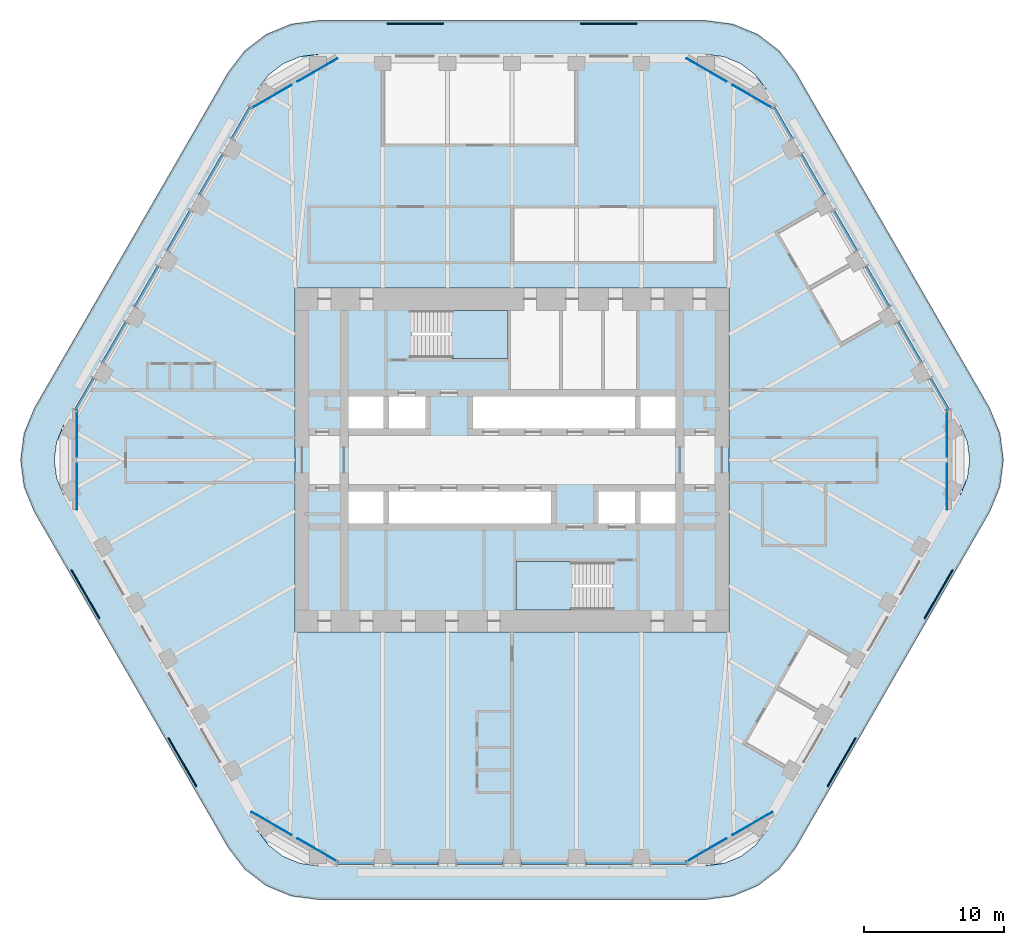
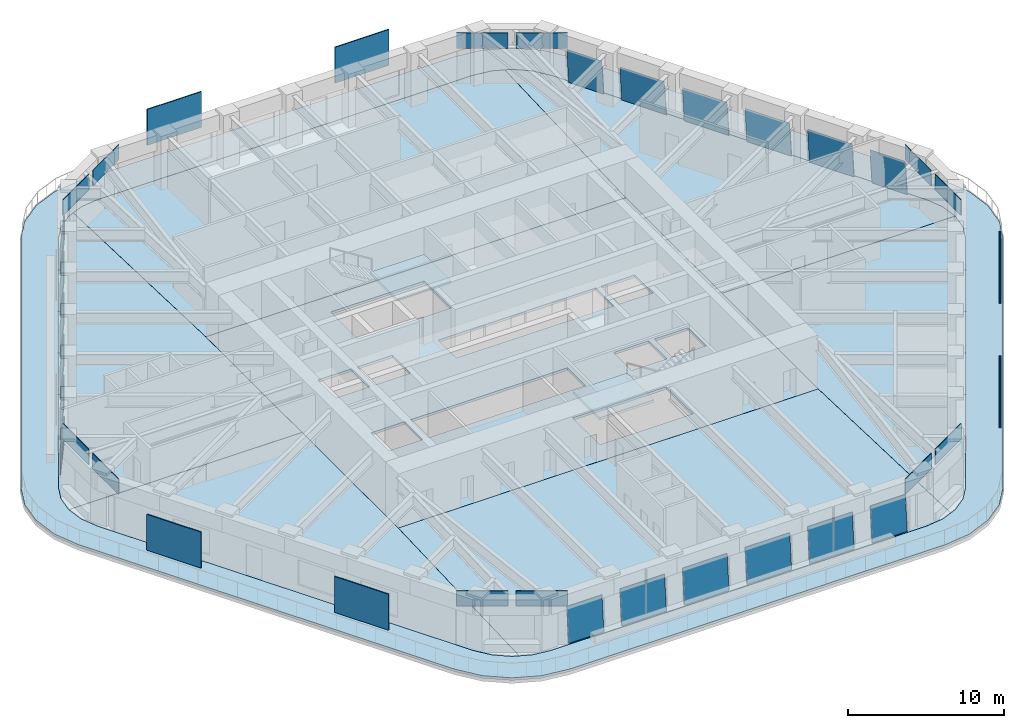
# One storey, part 13 of 20: 36 plates, 10 slabs, 20 elements without a shape of their own.
"""IFC4 building model written with IfcOpenShell, lengths in metres."""

from ifc_helpers import new_model, si_unit, direction, frame, origin, origin_2d, place, context, subcontext, project, spatial, polyline, rectangle, outline, extrude, material, layer, layer_set, type_object, element, aggregate, save


model = new_model("IFC4")

# Units and contexts
model_context = context("Model", 3, precision=1e-05, world=origin(), true_north=direction((0.0, 1.0)))
body_context = subcontext(model_context, "Body", "Model", "MODEL_VIEW")
ifc_project = project(units=[si_unit("LENGTHUNIT", "METRE"), si_unit("AREAUNIT", "SQUARE_METRE"), si_unit("VOLUMEUNIT", "CUBIC_METRE"), si_unit("PLANEANGLEUNIT", "RADIAN"), si_unit("MASSUNIT", "GRAM", prefix="KILO")], contexts=[model_context])

# Site, building, storey
site_placement = place(None, origin())
site = spatial("IfcSite", under=ifc_project, at=site_placement, CompositionType="ELEMENT")
building_placement = place(site_placement, origin())
building = spatial("IfcBuilding", under=site, at=building_placement, Name="Tarfa Lantern Tower", CompositionType="ELEMENT")
storey_placement = place(building_placement, frame((0.0, 0.0, 274.300048828125)))
storey = spatial("IfcBuildingStorey", under=building, at=storey_placement, Name="L62", CompositionType="ELEMENT", Elevation=274.300048828125)

# Slab
ifc_material_1 = material(Name="Concrete C40/50", Category="concrete")
ifc_layer_1 = layer(ifc_material_1, 0.199951171875)
ifc_layer_set_1 = layer_set([ifc_layer_1], Name="BS2 BALCONY SLAB 200")
slab_type_1 = type_object("IfcSlabType", Name="BS2 BALCONY SLAB 200", PredefinedType="FLOOR", material=ifc_layer_set_1)
slab_1_placement = place(storey_placement, frame((0.0, 0.0, -0.199951171875)))
element("IfcSlab", 1, at=slab_1_placement, inside=storey, type_object=slab_type_1, Name="Balcony L62", PredefinedType="FLOOR", context=body_context, shape_type="SweptSolid", body=[
    extrude(outline(polyline([(34.121337890625, 3.699951171875), (20.264892578125, 27.699951171875), (19.089111328125, 29.232666015625), (17.556396484375, 30.40869140625), (15.771728515625, 31.14794921875), (13.8564453125, 31.39990234375), (-13.8564453125, 31.39990234375), (-15.771728515625, 31.14794921875), (-17.556396484375, 30.40869140625), (-19.089111328125, 29.232666015625), (-20.264892578125, 27.699951171875), (-34.121337890625, 3.699951171875), (-34.860595703125, 1.915283203125), (-35.11279296875, 0.0), (-34.860595703125, -1.915283203125), (-34.121337890625, -3.699951171875), (-20.264892578125, -27.699951171875), (-19.089111328125, -29.232666015625), (-17.556396484375, -30.40869140625), (-15.771728515625, -31.14794921875), (-13.8564453125, -31.39990234375), (13.8564453125, -31.39990234375), (15.771728515625, -31.14794921875), (17.556396484375, -30.40869140625), (19.089111328125, -29.232666015625), (20.264892578125, -27.699951171875), (34.121337890625, -3.699951171875), (34.860595703125, -1.915283203125), (35.11279296875, 0.0), (34.860595703125, 1.915283203125), (34.121337890625, 3.699951171875)]), holes=[polyline([(32.04296875, 2.5), (18.1865234375, 26.5), (17.391845703125, 27.53564453125), (16.3564453125, 28.330078125), (15.150390625, 28.82958984375), (13.8564453125, 29.0), (-13.8564453125, 29.0), (-15.150390625, 28.82958984375), (-16.3564453125, 28.330078125), (-17.391845703125, 27.53564453125), (-18.1865234375, 26.5), (-32.04296875, 2.5), (-32.54248046875, 1.294189453125), (-32.712890625, 0.0), (-32.54248046875, -1.294189453125), (-32.04296875, -2.5), (-18.1865234375, -26.5), (-17.391845703125, -27.53564453125), (-16.3564453125, -28.330078125), (-15.150390625, -28.82958984375), (-13.8564453125, -29.0), (13.8564453125, -29.0), (15.150390625, -28.82958984375), (16.3564453125, -28.330078125), (17.391845703125, -27.53564453125), (18.1865234375, -26.5), (32.04296875, -2.5), (32.54248046875, -1.294189453125), (32.712890625, 0.0), (32.54248046875, 1.294189453125), (32.04296875, 2.5)])]), origin(), (0.0, 0.0, 1.0), 0.199951171875),
])

# Curtain wall, plate
ifc_material_2 = material(Name="Aluminium framed curtain wall", Category="aluminium")
curtain_wall_type = type_object("IfcCurtainWallType", Name="CW3 CANTED GLAZING HIGH ZONE 2800", PredefinedType="USERDEFINED", material=ifc_material_2)
curtain_wall_1_placement = place(storey_placement, origin())
curtain_wall_1 = element("IfcCurtainWall", 2, at=curtain_wall_1_placement, inside=storey, type_object=curtain_wall_type, Name="CW3 NE L62", ObjectType="CURTAIN WALL", PredefinedType="USERDEFINED")
ifc_material_3 = material(Name="Laminated double glazing", Category="glass")
ifc_layer_2 = layer(ifc_material_3, 0.028076171875)
ifc_layer_set_2 = layer_set([ifc_layer_2], Name="CWP1 DOUBLE GLAZED PANEL")
plate_type_1 = type_object("IfcPlateType", Name="CWP1 DOUBLE GLAZED PANEL", PredefinedType="CURTAIN_PANEL", material=ifc_layer_set_2)
plate_1_placement = place(storey_placement, frame((31.27392578125, 3.632080078125, 0.0), z_axis=(0.86260487844, 0.497996271703, 0.088952442691), x_axis=(-0.499978528147, 0.866037800202, 3.618111e-06)))
plate_1 = element("IfcPlate", 3, at=plate_1_placement, type_object=plate_type_1, Name="CW3 panel 1.1", PredefinedType="CURTAIN_PANEL", context=body_context, shape_type="SweptSolid", body=[
    extrude(outline(polyline([(0.0, 0.0), (2.5887966981179575, 2.7755575615628914e-17), (2.5887974391712807, 2.7457383666715636), (0.00012280612367131612, 2.745757173892263), (0.0, 0.0)])), origin(), (0.0, 0.0, -1.0), 0.028076171875),
])
aggregate(curtain_wall_1, [plate_1])

curtain_wall_2_placement = place(storey_placement, origin())
curtain_wall_2 = element("IfcCurtainWall", 4, at=curtain_wall_2_placement, inside=storey, type_object=curtain_wall_type, Name="CW3 NE L62", ObjectType="CURTAIN WALL", PredefinedType="USERDEFINED")
plate_2_placement = place(storey_placement, frame((29.314453125, 7.02587890625, 0.0), z_axis=(0.862575096362, 0.498054675904, 0.088914244903), x_axis=(-0.500035172766, 0.866005095826, 0.0)))
plate_2 = element("IfcPlate", 5, at=plate_2_placement, type_object=plate_type_1, Name="CW3 panel 1.1", PredefinedType="CURTAIN_PANEL", context=body_context, shape_type="SweptSolid", body=[
    extrude(outline(polyline([(0.0, 0.0), (3.2888311454247456, 0.0), (3.288837959805127, 2.745738368682294), (6.8143803815395865e-06, 2.745738368682294), (0.0, 0.0)])), origin(), (0.0, 0.0, -1.0), 0.028076171875),
])
aggregate(curtain_wall_2, [plate_2])

curtain_wall_3_placement = place(storey_placement, origin())
curtain_wall_3 = element("IfcCurtainWall", 6, at=curtain_wall_3_placement, inside=storey, type_object=curtain_wall_type, Name="CW3 NE L62", ObjectType="CURTAIN WALL", PredefinedType="USERDEFINED")
plate_3_placement = place(storey_placement, frame((27.005126953125, 11.02587890625, 0.0), z_axis=(0.862588151703, 0.498025243939, 0.088952442012), x_axis=(-0.500007556088, 0.866021041226, 2.847933e-06)))
plate_3 = element("IfcPlate", 7, at=plate_3_placement, type_object=plate_type_1, Name="CW3 panel 1.1", PredefinedType="CURTAIN_PANEL", context=body_context, shape_type="SweptSolid", body=[
    extrude(outline(polyline([(0.0, 0.0), (3.288831143739142, 2.7755575615628914e-17), (3.288837961490735, 2.7457383666632778), (0.0001288899088408909, 2.7457571736135), (0.0, 0.0)])), origin(), (0.0, 0.0, -1.0), 0.028076171875),
])
aggregate(curtain_wall_3, [plate_3])

curtain_wall_4_placement = place(storey_placement, origin())
curtain_wall_4 = element("IfcCurtainWall", 8, at=curtain_wall_4_placement, inside=storey, type_object=curtain_wall_type, Name="CW3 NE L62", ObjectType="CURTAIN WALL", PredefinedType="USERDEFINED")
plate_4_placement = place(storey_placement, frame((24.695556640625, 15.02587890625, 0.0), z_axis=(0.862607113898, 0.497999220993, 0.088914244879), x_axis=(-0.499979497339, 0.866037240677, 0.0)))
plate_4 = element("IfcPlate", 9, at=plate_4_placement, type_object=plate_type_1, Name="CW3 panel 1.1", PredefinedType="CURTAIN_PANEL", context=body_context, shape_type="SweptSolid", body=[
    extrude(outline(polyline([(0.0, 0.0), (3.2887090733213356, 0.0), (3.2887001925491877, 2.745738368676388), (-8.880772147612515e-06, 2.745738368676388), (0.0, 0.0)])), origin(), (0.0, 0.0, -1.0), 0.028076171875),
])
aggregate(curtain_wall_4, [plate_4])

curtain_wall_5_placement = place(storey_placement, origin())
curtain_wall_5 = element("IfcCurtainWall", 10, at=curtain_wall_5_placement, inside=storey, type_object=curtain_wall_type, Name="CW3 NE L62", ObjectType="CURTAIN WALL", PredefinedType="USERDEFINED")
plate_5_placement = place(storey_placement, frame((22.38623046875, 19.02587890625, 0.0), z_axis=(0.862588151703, 0.498025243939, 0.088952442012), x_axis=(-0.500007115555, 0.866021295573, -2.848039e-06)))
plate_5 = element("IfcPlate", 11, at=plate_5_placement, type_object=plate_type_1, Name="CW3 panel 1.1", PredefinedType="CURTAIN_PANEL", context=body_context, shape_type="SweptSolid", body=[
    extrude(outline(polyline([(0.0, 0.0), (3.288709071635669, 2.7755575615628914e-17), (3.2888222595418797, 2.7457571743056772), (-8.884143485021619e-06, 2.7457383666573687), (0.0, 0.0)])), origin(), (0.0, 0.0, -1.0), 0.028076171875),
])
aggregate(curtain_wall_5, [plate_5])

curtain_wall_6_placement = place(storey_placement, origin())
curtain_wall_6 = element("IfcCurtainWall", 12, at=curtain_wall_6_placement, inside=storey, type_object=curtain_wall_type, Name="CW3 NE L62", ObjectType="CURTAIN WALL", PredefinedType="USERDEFINED")
plate_6_placement = place(storey_placement, frame((20.076904296875, 23.02587890625, 0.0), z_axis=(0.86260487844, 0.497996271703, 0.088952442691), x_axis=(-0.499978528147, 0.866037800202, 3.618111e-06)))
plate_6 = element("IfcPlate", 13, at=plate_6_placement, type_object=plate_type_1, Name="CW3 panel 1.1", PredefinedType="CURTAIN_PANEL", context=body_context, shape_type="SweptSolid", body=[
    extrude(outline(polyline([(0.0, 0.0), (2.5887966981179575, 2.7755575615628914e-17), (2.5887974391712807, 2.7457383666715636), (0.00012280612367131612, 2.745757173892263), (0.0, 0.0)])), origin(), (0.0, 0.0, -1.0), 0.028076171875),
])
aggregate(curtain_wall_6, [plate_6])

curtain_wall_7_placement = place(storey_placement, origin())
curtain_wall_7 = element("IfcCurtainWall", 14, at=curtain_wall_7_placement, inside=storey, type_object=curtain_wall_type, Name="CW3 NW L62", ObjectType="CURTAIN WALL", PredefinedType="USERDEFINED")
plate_7_placement = place(storey_placement, frame((-18.782470703125, 25.267822265625, 0.0), z_axis=(-0.86260487844, 0.497996271703, 0.088952442691), x_axis=(-0.499978528147, -0.866037800202, -3.618111e-06)))
plate_7 = element("IfcPlate", 15, at=plate_7_placement, type_object=plate_type_1, Name="CW3 panel 1.1", PredefinedType="CURTAIN_PANEL", context=body_context, shape_type="SweptSolid", body=[
    extrude(outline(polyline([(0.0, 0.0), (2.5887966981179575, -2.7755575615628914e-17), (2.5886738919942855, 2.745757173892263), (-7.410533230149592e-07, 2.7457383666715636), (0.0, 0.0)])), origin(), (0.0, 0.0, -1.0), 0.028076171875),
])
aggregate(curtain_wall_7, [plate_7])

curtain_wall_8_placement = place(storey_placement, origin())
curtain_wall_8 = element("IfcCurtainWall", 16, at=curtain_wall_8_placement, inside=storey, type_object=curtain_wall_type, Name="CW3 NW L62", ObjectType="CURTAIN WALL", PredefinedType="USERDEFINED")
plate_8_placement = place(storey_placement, frame((-20.741943359375, 21.8740234375, 0.0), z_axis=(-0.862588151703, 0.498025243939, 0.088952442012), x_axis=(-0.500007115555, -0.866021295573, 2.848039e-06)))
plate_8 = element("IfcPlate", 17, at=plate_8_placement, type_object=plate_type_1, Name="CW3 panel 1.1", PredefinedType="CURTAIN_PANEL", context=body_context, shape_type="SweptSolid", body=[
    extrude(outline(polyline([(0.0, 0.0), (3.288709071635669, -2.7755575615628914e-17), (3.288717955779154, 2.7457383666573687), (-0.00011318790621090715, 2.7457571743056772), (0.0, 0.0)])), origin(), (0.0, 0.0, -1.0), 0.028076171875),
])
aggregate(curtain_wall_8, [plate_8])

curtain_wall_9_placement = place(storey_placement, origin())
curtain_wall_9 = element("IfcCurtainWall", 18, at=curtain_wall_9_placement, inside=storey, type_object=curtain_wall_type, Name="CW3 NW L62", ObjectType="CURTAIN WALL", PredefinedType="USERDEFINED")
plate_9_placement = place(storey_placement, frame((-23.05126953125, 17.8740234375, 0.0), z_axis=(-0.862607113898, 0.497999220993, 0.088914244879), x_axis=(-0.499979497339, -0.866037240677, 0.0)))
plate_9 = element("IfcPlate", 19, at=plate_9_placement, type_object=plate_type_1, Name="CW3 panel 1.1", PredefinedType="CURTAIN_PANEL", context=body_context, shape_type="SweptSolid", body=[
    extrude(outline(polyline([(0.0, 0.0), (3.2887090733213356, 0.0), (3.288717954093483, 2.745738368676388), (8.880772147612515e-06, 2.745738368676388), (0.0, 0.0)])), origin(), (0.0, 0.0, -1.0), 0.028076171875),
])
aggregate(curtain_wall_9, [plate_9])

curtain_wall_10_placement = place(storey_placement, origin())
curtain_wall_10 = element("IfcCurtainWall", 20, at=curtain_wall_10_placement, inside=storey, type_object=curtain_wall_type, Name="CW3 NW L62", ObjectType="CURTAIN WALL", PredefinedType="USERDEFINED")
plate_10_placement = place(storey_placement, frame((-25.360595703125, 13.8740234375, 0.0), z_axis=(-0.862588151703, 0.498025243939, 0.088952442012), x_axis=(-0.500007556088, -0.866021041226, -2.847933e-06)))
plate_10 = element("IfcPlate", 21, at=plate_10_placement, type_object=plate_type_1, Name="CW3 panel 1.1", PredefinedType="CURTAIN_PANEL", context=body_context, shape_type="SweptSolid", body=[
    extrude(outline(polyline([(0.0, 0.0), (3.288831143739142, -2.7755575615628914e-17), (3.2887022538303006, 2.7457571736135), (-6.817751592744995e-06, 2.7457383666632778), (0.0, 0.0)])), origin(), (0.0, 0.0, -1.0), 0.028076171875),
])
aggregate(curtain_wall_10, [plate_10])

curtain_wall_11_placement = place(storey_placement, origin())
curtain_wall_11 = element("IfcCurtainWall", 22, at=curtain_wall_11_placement, inside=storey, type_object=curtain_wall_type, Name="CW3 NW L62", ObjectType="CURTAIN WALL", PredefinedType="USERDEFINED")
plate_11_placement = place(storey_placement, frame((-27.669921875, 9.8740234375, 0.0), z_axis=(-0.862575096362, 0.498054675904, 0.088914244903), x_axis=(-0.500035172766, -0.866005095826, 0.0)))
plate_11 = element("IfcPlate", 23, at=plate_11_placement, type_object=plate_type_1, Name="CW3 panel 1.1", PredefinedType="CURTAIN_PANEL", context=body_context, shape_type="SweptSolid", body=[
    extrude(outline(polyline([(0.0, 0.0), (3.2888311454247456, 0.0), (3.2888243310443643, 2.745738368682294), (-6.8143803815395865e-06, 2.745738368682294), (0.0, 0.0)])), origin(), (0.0, 0.0, -1.0), 0.028076171875),
])
aggregate(curtain_wall_11, [plate_11])

curtain_wall_12_placement = place(storey_placement, origin())
curtain_wall_12 = element("IfcCurtainWall", 24, at=curtain_wall_12_placement, inside=storey, type_object=curtain_wall_type, Name="CW3 NW L62", ObjectType="CURTAIN WALL", PredefinedType="USERDEFINED")
plate_12_placement = place(storey_placement, frame((-29.9794921875, 5.8740234375, 0.0), z_axis=(-0.86260487844, 0.497996271703, 0.088952442691), x_axis=(-0.499978528147, -0.866037800202, -3.618111e-06)))
plate_12 = element("IfcPlate", 25, at=plate_12_placement, type_object=plate_type_1, Name="CW3 panel 1.1", PredefinedType="CURTAIN_PANEL", context=body_context, shape_type="SweptSolid", body=[
    extrude(outline(polyline([(0.0, 0.0), (2.5887966981179575, -2.7755575615628914e-17), (2.5886738919942855, 2.745757173892263), (-7.410533230149592e-07, 2.7457383666715636), (0.0, 0.0)])), origin(), (0.0, 0.0, -1.0), 0.028076171875),
])
aggregate(curtain_wall_12, [plate_12])

curtain_wall_13_placement = place(storey_placement, origin())
curtain_wall_13 = element("IfcCurtainWall", 26, at=curtain_wall_13_placement, inside=storey, type_object=curtain_wall_type, Name="CW3 S L62", ObjectType="CURTAIN WALL", PredefinedType="USERDEFINED")
plate_13_placement = place(storey_placement, frame((-12.491455078125, -28.89990234375, 0.0), z_axis=(0.0, -0.996039111646, 0.08891618565), x_axis=(1.0, 0.0, 0.0)))
plate_13 = element("IfcPlate", 27, at=plate_13_placement, type_object=plate_type_1, Name="CW3 panel 1.1", PredefinedType="CURTAIN_PANEL", context=body_context, shape_type="SweptSolid", body=[
    extrude(outline(polyline([(0.0, 0.0), (2.5888671875, 0.0), (2.5888671875, 2.74573884626796), (0.0, 2.74573884626796), (0.0, 0.0)])), origin(), (0.0, 0.0, -1.0), 0.028076171875),
])
aggregate(curtain_wall_13, [plate_13])

curtain_wall_14_placement = place(storey_placement, origin())
curtain_wall_14 = element("IfcCurtainWall", 28, at=curtain_wall_14_placement, inside=storey, type_object=curtain_wall_type, Name="CW3 S L62", ObjectType="CURTAIN WALL", PredefinedType="USERDEFINED")
plate_14_placement = place(storey_placement, frame((-8.572509765625, -28.89990234375, 0.0), z_axis=(0.0, -0.996039111646, 0.08891618565), x_axis=(1.0, 0.0, 0.0)))
plate_14 = element("IfcPlate", 29, at=plate_14_placement, type_object=plate_type_1, Name="CW3 panel 1.1", PredefinedType="CURTAIN_PANEL", context=body_context, shape_type="SweptSolid", body=[
    extrude(outline(polyline([(0.0, 0.0), (3.288818359375, 0.0), (3.288818359375, 2.7457388462679595), (0.0, 2.7457388462679595), (0.0, 0.0)])), origin(), (0.0, 0.0, -1.0), 0.028076171875),
])
aggregate(curtain_wall_14, [plate_14])

curtain_wall_15_placement = place(storey_placement, origin())
curtain_wall_15 = element("IfcCurtainWall", 30, at=curtain_wall_15_placement, inside=storey, type_object=curtain_wall_type, Name="CW3 S L62", ObjectType="CURTAIN WALL", PredefinedType="USERDEFINED")
plate_15_placement = place(storey_placement, frame((-3.953857421875, -28.89990234375, 0.0), z_axis=(0.0, -0.996039111646, 0.08891618565), x_axis=(1.0, 0.0, 0.0)))
plate_15 = element("IfcPlate", 31, at=plate_15_placement, type_object=plate_type_1, Name="CW3 panel 1.1", PredefinedType="CURTAIN_PANEL", context=body_context, shape_type="SweptSolid", body=[
    extrude(outline(polyline([(0.0, 0.0), (3.288818359375, 0.0), (3.288818359375, 2.7457388462679595), (0.0, 2.7457388462679595), (0.0, 0.0)])), origin(), (0.0, 0.0, -1.0), 0.028076171875),
])
aggregate(curtain_wall_15, [plate_15])

curtain_wall_16_placement = place(storey_placement, origin())
curtain_wall_16 = element("IfcCurtainWall", 32, at=curtain_wall_16_placement, inside=storey, type_object=curtain_wall_type, Name="CW3 S L62", ObjectType="CURTAIN WALL", PredefinedType="USERDEFINED")
plate_16_placement = place(storey_placement, frame((0.6650390625, -28.89990234375, 0.0), z_axis=(0.0, -0.996039111646, 0.08891618565), x_axis=(1.0, 0.0, 0.0)))
plate_16 = element("IfcPlate", 33, at=plate_16_placement, type_object=plate_type_1, Name="CW3 panel 1.1", PredefinedType="CURTAIN_PANEL", context=body_context, shape_type="SweptSolid", body=[
    extrude(outline(polyline([(0.0, 0.0), (3.288818359375, 0.0), (3.288818359375, 2.7457388462679595), (0.0, 2.7457388462679595), (0.0, 0.0)])), origin(), (0.0, 0.0, -1.0), 0.028076171875),
])
aggregate(curtain_wall_16, [plate_16])

curtain_wall_17_placement = place(storey_placement, origin())
curtain_wall_17 = element("IfcCurtainWall", 34, at=curtain_wall_17_placement, inside=storey, type_object=curtain_wall_type, Name="CW3 S L62", ObjectType="CURTAIN WALL", PredefinedType="USERDEFINED")
plate_17_placement = place(storey_placement, frame((5.28369140625, -28.89990234375, 0.0), z_axis=(0.0, -0.996039111646, 0.08891618565), x_axis=(1.0, 0.0, 0.0)))
plate_17 = element("IfcPlate", 35, at=plate_17_placement, type_object=plate_type_1, Name="CW3 panel 1.1", PredefinedType="CURTAIN_PANEL", context=body_context, shape_type="SweptSolid", body=[
    extrude(outline(polyline([(0.0, 0.0), (3.288818359375, 0.0), (3.288818359375, 2.7457388462679595), (0.0, 2.7457388462679595), (0.0, 0.0)])), origin(), (0.0, 0.0, -1.0), 0.028076171875),
])
aggregate(curtain_wall_17, [plate_17])

curtain_wall_18_placement = place(storey_placement, origin())
curtain_wall_18 = element("IfcCurtainWall", 36, at=curtain_wall_18_placement, inside=storey, type_object=curtain_wall_type, Name="CW3 S L62", ObjectType="CURTAIN WALL", PredefinedType="USERDEFINED")
plate_18_placement = place(storey_placement, frame((9.902587890625, -28.89990234375, 0.0), z_axis=(0.0, -0.996039111646, 0.08891618565), x_axis=(1.0, 0.0, 0.0)))
plate_18 = element("IfcPlate", 37, at=plate_18_placement, type_object=plate_type_1, Name="CW3 panel 1.1", PredefinedType="CURTAIN_PANEL", context=body_context, shape_type="SweptSolid", body=[
    extrude(outline(polyline([(0.0, 0.0), (2.5888671875, 0.0), (2.5888671875, 2.74573884626796), (0.0, 2.74573884626796), (0.0, 0.0)])), origin(), (0.0, 0.0, -1.0), 0.028076171875),
])
aggregate(curtain_wall_18, [plate_18])

# Slabs
ifc_layer_3 = layer(ifc_material_1, 0.199951171875)
ifc_layer_set_3 = layer_set([ifc_layer_3], Name="FS1 FLOOR SLAB 200")
slab_type_2 = type_object("IfcSlabType", Name="FS1 FLOOR SLAB 200", PredefinedType="FLOOR", material=ifc_layer_set_3)
slab_2_placement = place(storey_placement, frame((0.0, 0.0, -0.199951171875)))
element("IfcSlab", 38, at=slab_2_placement, inside=storey, type_object=slab_type_2, Name="Floor slab L62", PredefinedType="FLOOR", context=body_context, shape_type="SweptSolid", body=[
    extrude(outline(polyline([(-15.5, -12.300048828125), (15.5, -12.300048828125), (15.5, 12.300048828125), (-15.5, 12.300048828125), (-15.5, -12.300048828125)]), holes=[polyline([(-11.699951171875, 2.25), (-9.199951171875, 2.25), (-9.199951171875, 4.550048828125), (-11.699951171875, 4.550048828125), (-11.699951171875, 2.25)]), polyline([(-8.800048828125, 2.25), (-6.199951171875, 2.25), (-6.199951171875, 4.550048828125), (-8.800048828125, 4.550048828125), (-8.800048828125, 2.25)]), polyline([(-2.800048828125, 2.25), (8.800048828125, 2.25), (8.800048828125, 4.550048828125), (-2.800048828125, 4.550048828125), (-2.800048828125, 2.25)]), polyline([(9.199951171875, 2.25), (11.699951171875, 2.25), (11.699951171875, 4.550048828125), (9.199951171875, 4.550048828125), (9.199951171875, 2.25)]), polyline([(11.699951171875, -2.25), (9.199951171875, -2.25), (9.199951171875, -4.550048828125), (11.699951171875, -4.550048828125), (11.699951171875, -2.25)]), polyline([(8.800048828125, -2.25), (6.199951171875, -2.25), (6.199951171875, -4.550048828125), (8.800048828125, -4.550048828125), (8.800048828125, -2.25)]), polyline([(2.800048828125, -2.25), (-8.800048828125, -2.25), (-8.800048828125, -4.550048828125), (2.800048828125, -4.550048828125), (2.800048828125, -2.25)]), polyline([(-9.199951171875, -2.25), (-11.699951171875, -2.25), (-11.699951171875, -4.550048828125), (-9.199951171875, -4.550048828125), (-9.199951171875, -2.25)]), polyline([(-7.199951171875, 7.25), (-0.300048828125, 7.25), (-0.300048828125, 10.699951171875), (-7.199951171875, 10.699951171875), (-7.199951171875, 7.25)]), polyline([(7.199951171875, -7.25), (0.300048828125, -7.25), (0.300048828125, -10.699951171875), (7.199951171875, -10.699951171875), (7.199951171875, -7.25)])]), origin(), (0.0, 0.0, 1.0), 0.199951171875),
])
slab_3_placement = place(storey_placement, frame((0.0, 0.0, -0.199951171875)))
element("IfcSlab", 39, at=slab_3_placement, inside=storey, type_object=slab_type_2, Name="Floor slab L62 NE bay", PredefinedType="FLOOR", context=body_context, shape_type="SweptSolid", body=[
    extrude(outline(polyline([(32.041259765625, 2.4990234375), (18.184814453125, 26.498779296875), (17.390625, 27.5341796875), (16.35546875, 28.328369140625), (15.927490234375, 28.505615234375), (15.501953125, 12.300048828125), (15.501953125, 0.001953125), (32.71044921875, 0.001953125), (32.54052734375, 1.29345703125), (32.041259765625, 2.4990234375)])), origin(), (0.0, 0.0, 1.0), 0.199951171875),
])
slab_4_placement = place(storey_placement, frame((0.0, 0.0, -0.199951171875)))
element("IfcSlab", 40, at=slab_4_placement, inside=storey, type_object=slab_type_2, Name="Floor slab L62 N bay", PredefinedType="FLOOR", context=body_context, shape_type="SweptSolid", body=[
    extrude(outline(polyline([(-15.498046875, 12.302001953125), (15.498046875, 12.302001953125), (15.923583984375, 28.50732421875), (15.14990234375, 28.82763671875), (13.856201171875, 28.998046875), (-13.856201171875, 28.998046875), (-15.14990234375, 28.82763671875), (-15.923583984375, 28.50732421875), (-15.498046875, 12.302001953125)])), origin(), (0.0, 0.0, 1.0), 0.199951171875),
])
slab_5_placement = place(storey_placement, frame((0.0, 0.0, -0.199951171875)))
element("IfcSlab", 41, at=slab_5_placement, inside=storey, type_object=slab_type_2, Name="Floor slab L62 NW bay", PredefinedType="FLOOR", context=body_context, shape_type="SweptSolid", body=[
    extrude(outline(polyline([(-15.501953125, 0.001953125), (-15.501953125, 12.300048828125), (-15.927490234375, 28.505615234375), (-16.35546875, 28.328369140625), (-17.390625, 27.5341796875), (-18.184814453125, 26.498779296875), (-32.041259765625, 2.4990234375), (-32.54052734375, 1.29345703125), (-32.71044921875, 0.001953125), (-15.501953125, 0.001953125)])), origin(), (0.0, 0.0, 1.0), 0.199951171875),
])
slab_6_placement = place(storey_placement, frame((0.0, 0.0, -0.199951171875)))
element("IfcSlab", 42, at=slab_6_placement, inside=storey, type_object=slab_type_2, Name="Floor slab L62 SW bay", PredefinedType="FLOOR", context=body_context, shape_type="SweptSolid", body=[
    extrude(outline(polyline([(-15.501953125, -12.300048828125), (-15.501953125, -0.001953125), (-32.71044921875, -0.001953125), (-32.54052734375, -1.29345703125), (-32.041259765625, -2.4990234375), (-18.184814453125, -26.498779296875), (-17.390625, -27.5341796875), (-16.35546875, -28.328369140625), (-15.927490234375, -28.505615234375), (-15.501953125, -12.300048828125)])), origin(), (0.0, 0.0, 1.0), 0.199951171875),
])
slab_7_placement = place(storey_placement, frame((0.0, 0.0, -0.199951171875)))
element("IfcSlab", 43, at=slab_7_placement, inside=storey, type_object=slab_type_2, Name="Floor slab L62 S bay", PredefinedType="FLOOR", context=body_context, shape_type="SweptSolid", body=[
    extrude(outline(polyline([(15.498046875, -12.302001953125), (-15.498046875, -12.302001953125), (-15.923583984375, -28.50732421875), (-15.14990234375, -28.82763671875), (-13.856201171875, -28.998046875), (13.856201171875, -28.998046875), (15.14990234375, -28.82763671875), (15.923583984375, -28.50732421875), (15.498046875, -12.302001953125)])), origin(), (0.0, 0.0, 1.0), 0.199951171875),
])
slab_8_placement = place(storey_placement, frame((0.0, 0.0, -0.199951171875)))
element("IfcSlab", 44, at=slab_8_placement, inside=storey, type_object=slab_type_2, Name="Floor slab L62 SE bay", PredefinedType="FLOOR", context=body_context, shape_type="SweptSolid", body=[
    extrude(outline(polyline([(15.501953125, -0.001953125), (15.501953125, -12.300048828125), (15.927490234375, -28.505615234375), (16.35546875, -28.328369140625), (17.390625, -27.5341796875), (18.184814453125, -26.498779296875), (32.041259765625, -2.4990234375), (32.54052734375, -1.29345703125), (32.71044921875, -0.001953125), (15.501953125, -0.001953125)])), origin(), (0.0, 0.0, 1.0), 0.199951171875),
])

# Plates
ifc_material_4 = material(Name="Aluminium fascia panel", Category="aluminium")
ifc_layer_4 = layer(ifc_material_4, 0.050048828125)
ifc_layer_set_4 = layer_set([ifc_layer_4], Name="LF1 LOGGIA HEAD FASCIA 50")
plate_type_2 = type_object("IfcPlateType", Name="LF1 LOGGIA HEAD FASCIA 50", PredefinedType="USERDEFINED", material=ifc_layer_set_4)
for number, where, z_axis, x_axis, name in (
    (45, (17.18994140625, 25.972900390625, 2.7998046875), (0.0, 0.0, 1.0), (-0.866025403784, 0.5, 0.0), "Garden head fascia NE-N"),
    (46, (13.898193359375, 27.873291015625, 2.7998046875), (0.0, 0.0, 1.0), (-0.866025403784, 0.5, 0.0), "Garden head fascia NE-N"),
    (47, (-13.898193359375, 27.873291015625, 2.7998046875), (0.0, 0.0, 1.0), (-0.866025403784, -0.5, 0.0), "Garden head fascia N-NW"),
    (48, (-17.18994140625, 25.972900390625, 2.7998046875), (0.0, 0.0, 1.0), (-0.866025403784, -0.5, 0.0), "Garden head fascia N-NW"),
    (49, (-31.088134765625, 1.900390625, 2.7998046875), (0.0, 0.0, 1.0), (0.0, -1.0, 0.0), "Garden head fascia NW-SW"),
    (50, (-31.088134765625, -1.900390625, 2.7998046875), (0.0, 0.0, 1.0), (0.0, -1.0, 0.0), "Garden head fascia NW-SW"),
    (51, (-17.18994140625, -25.972900390625, 2.7998046875), (0.0, 0.0, 1.0), (0.866025403784, -0.5, 0.0), "Garden head fascia SW-S"),
    (52, (-13.898193359375, -27.873291015625, 2.7998046875), (0.0, 0.0, 1.0), (0.866025403784, -0.5, 0.0), "Garden head fascia SW-S"),
    (53, (13.898193359375, -27.873291015625, 2.7998046875), (0.0, 0.0, 1.0), (0.866025403784, 0.5, 0.0), "Garden head fascia S-SE"),
    (54, (17.18994140625, -25.972900390625, 2.7998046875), (0.0, 0.0, 1.0), (0.866025403784, 0.5, 0.0), "Garden head fascia S-SE"),
    (55, (31.088134765625, -1.900390625, 2.7998046875), (0.0, 0.0, 1.0), (0.0, 1.0, 0.0), "Garden head fascia SE-NE"),
    (56, (31.088134765625, 1.900390625, 2.7998046875), (0.0, 0.0, 1.0), (0.0, 1.0, 0.0), "Garden head fascia SE-NE"),
):
    element("IfcPlate", number, at=place(storey_placement, frame(where, z_axis=z_axis, x_axis=x_axis)), inside=storey, type_object=plate_type_2, Name=name, ObjectType="FASCIA", PredefinedType="USERDEFINED", context=body_context, shape_type="SweptSolid", body=[
        extrude(rectangle(XDim=3.30078125, YDim=0.050048828125, at=origin_2d()), origin(), (0.0, 0.0, 1.0), 1.199951171875),
    ])
ifc_material_5 = material(Name="Perforated limestone screen", Category="masonry")
ifc_layer_5 = layer(ifc_material_5, 0.080078125)
ifc_layer_set_5 = layer_set([ifc_layer_5], Name="SC1 STONE SCREEN 80")
plate_type_3 = type_object("IfcPlateType", Name="SC1 STONE SCREEN 80", PredefinedType="USERDEFINED", material=ifc_layer_set_5)
for number, where, z_axis, x_axis, name in (
    (57, (6.92822265625, 31.199951171875, 1.19970703125), (0.0, 0.0, 1.0), (-1.0, 0.0, 0.0), "Stone screen N 1"),
    (58, (-6.92822265625, 31.199951171875, 1.19970703125), (0.0, 0.0, 1.0), (-1.0, 0.0, 0.0), "Stone screen N 2"),
    (59, (-30.484130859375, -9.60009765625, 1.19970703125), (0.0, 0.0, 1.0), (0.5, -0.866025403784, 0.0), "Stone screen SW 1"),
    (60, (-23.555908203125, -21.60009765625, 1.19970703125), (0.0, 0.0, 1.0), (0.5, -0.866025403784, 0.0), "Stone screen SW 2"),
    (61, (23.555908203125, -21.60009765625, 1.19970703125), (0.0, 0.0, 1.0), (0.5, 0.866025403784, 0.0), "Stone screen SE 1"),
    (62, (30.484130859375, -9.60009765625, 1.19970703125), (0.0, 0.0, 1.0), (0.5, 0.866025403784, 0.0), "Stone screen SE 2"),
):
    element("IfcPlate", number, at=place(storey_placement, frame(where, z_axis=z_axis, x_axis=x_axis)), inside=storey, type_object=plate_type_3, Name=name, ObjectType="SCREEN", PredefinedType="USERDEFINED", context=body_context, shape_type="SweptSolid", body=[
        extrude(rectangle(XDim=4.0, YDim=0.080078125, at=origin_2d()), origin(), (0.0, 0.0, 1.0), 2.800048828125),
    ])

# Stair, slab
stair_type = type_object("IfcStairType", Name="ST-T10 HALF-TURN STAIR 4200 RISE", PredefinedType="HALF_TURN_STAIR", material=ifc_material_1)
stair_1_placement = place(storey_placement, origin())
stair_1 = element("IfcStair", 63, at=stair_1_placement, inside=storey, type_object=stair_type, Name="Stair ST1", PredefinedType="HALF_TURN_STAIR")
ifc_layer_6 = layer(ifc_material_1, 0.199951171875)
ifc_layer_set_6 = layer_set([ifc_layer_6], Name="SL1 STAIR LANDING 200")
slab_type_3 = type_object("IfcSlabType", Name="SL1 STAIR LANDING 200", PredefinedType="LANDING", material=ifc_layer_set_6)
slab_9_placement = place(storey_placement, frame((0.0, 0.0, 1.89990234375)))
slab_9 = element("IfcSlab", 64, at=slab_9_placement, type_object=slab_type_3, Name="ST1 landing 1", PredefinedType="LANDING", context=body_context, shape_type="SweptSolid", body=[
    extrude(outline(polyline([(-4.320068359375, 7.25), (-0.300048828125, 7.25), (-0.300048828125, 10.699951171875), (-4.320068359375, 10.699951171875), (-4.320068359375, 7.25)])), origin(), (0.0, 0.0, 1.0), 0.199951171875),
])
aggregate(stair_1, [slab_9])

stair_2_placement = place(storey_placement, origin())
stair_2 = element("IfcStair", 65, at=stair_2_placement, inside=storey, type_object=stair_type, Name="Stair ST2", PredefinedType="HALF_TURN_STAIR")
slab_10_placement = place(storey_placement, frame((0.0, 0.0, 1.89990234375)))
slab_10 = element("IfcSlab", 66, at=slab_10_placement, type_object=slab_type_3, Name="ST2 landing 1", PredefinedType="LANDING", context=body_context, shape_type="SweptSolid", body=[
    extrude(outline(polyline([(4.320068359375, -7.25), (0.300048828125, -7.25), (0.300048828125, -10.699951171875), (4.320068359375, -10.699951171875), (4.320068359375, -7.25)])), origin(), (0.0, 0.0, 1.0), 0.199951171875),
])
aggregate(stair_2, [slab_10])

save(model, "model.ifc")
